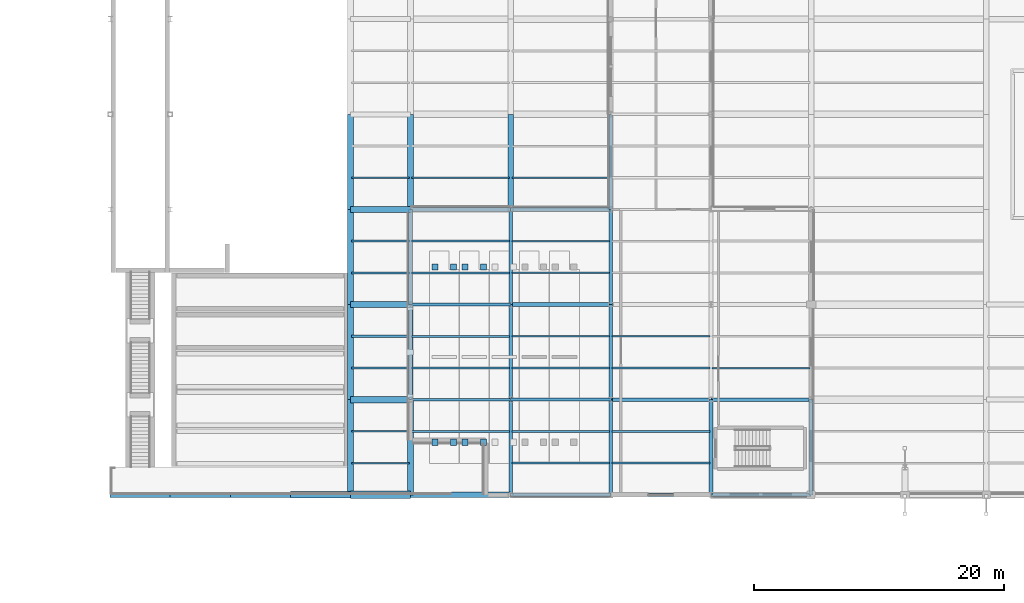
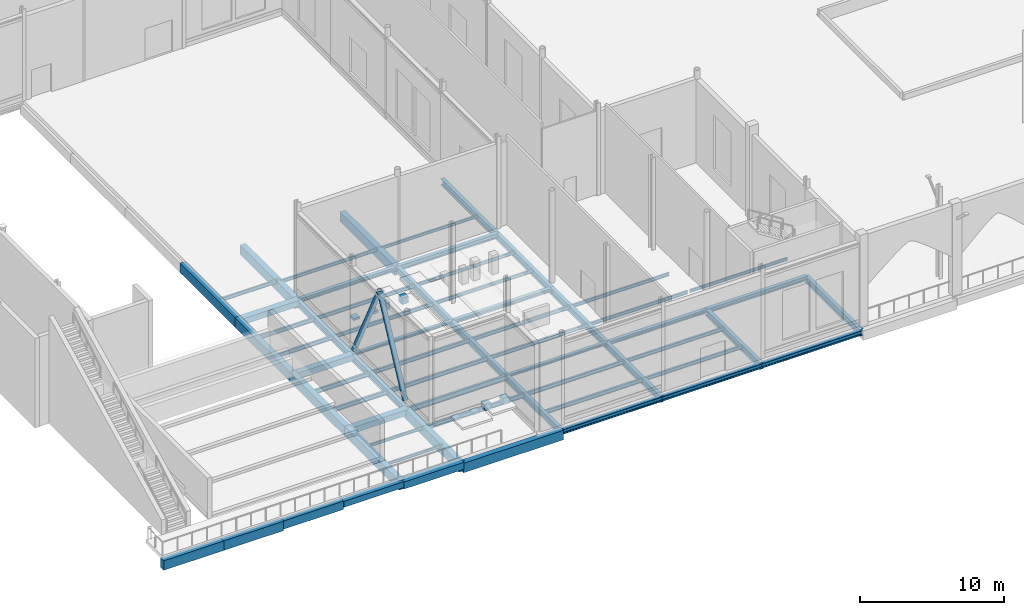
# One storey, part 27 of 176: 63 beams, 8 columns, 2 members.
"""IFC4 building model written with IfcOpenShell, lengths in metres."""

from ifc_helpers import new_model, si_unit, direction, frame, origin, origin_2d, place, context, subcontext, project, spatial, rectangle, hollow_circle, i_section, extrude, material, material_profile, profile_set, type_object, element, save


model = new_model("IFC4")

# Units and contexts
model_context = context("Model", 3, precision=1e-05, world=origin(), true_north=direction((0.0, 1.0)))
body_context = subcontext(model_context, "Body", "Model", "MODEL_VIEW")
ifc_project = project(units=[si_unit("LENGTHUNIT", "METRE"), si_unit("AREAUNIT", "SQUARE_METRE"), si_unit("VOLUMEUNIT", "CUBIC_METRE"), si_unit("PLANEANGLEUNIT", "RADIAN"), si_unit("MASSUNIT", "GRAM", prefix="KILO")], contexts=[model_context])

# Site, building, storey
site_placement = place(None, origin())
site = spatial("IfcSite", under=ifc_project, at=site_placement, CompositionType="ELEMENT")
building_placement = place(site_placement, origin())
building = spatial("IfcBuilding", under=site, at=building_placement, Name="Vekula Escarpment Museum", CompositionType="ELEMENT")
storey_placement = place(building_placement, origin())
storey = spatial("IfcBuildingStorey", under=building, at=storey_placement, Name="L01", CompositionType="ELEMENT", Elevation=0.0)

# Columns
ifc_material_1 = material(Name="Concrete C35/45", Category="concrete")
ifc_material_profile_1 = material_profile(ifc_material_1, rectangle(XDim=0.5, YDim=0.5, at=origin_2d()), Name="RC 500x500")
ifc_profile_set_1 = profile_set([ifc_material_profile_1], Name="Concrete C35/45")
column_type = type_object("IfcColumnType", Name="COL-B1-RC500", PredefinedType="COLUMN", material=ifc_profile_set_1)
for number, where, z_axis, x_axis, name in (
    (1, (25.949951171875, 4.199951171875, 0.0), (0.0, 0.0, 1.0), (1.0, 0.0, 0.0), "Auditorium Deck Raker Pier 1-1"),
    (2, (27.429931640625, 4.199951171875, 0.0), (0.0, 0.0, 1.0), (1.0, 0.0, 0.0), "Auditorium Deck Raker Pier 1-2"),
    (3, (27.429931640625, 18.199951171875, 0.0), (0.0, 0.0, 1.0), (1.0, 0.0, 0.0), "Auditorium Deck Raker Pier 1-3"),
    (4, (25.949951171875, 18.199951171875, 0.0), (0.0, 0.0, 1.0), (1.0, 0.0, 0.0), "Auditorium Deck Raker Pier 1-4"),
):
    element("IfcColumn", number, at=place(storey_placement, frame(where, z_axis=z_axis, x_axis=x_axis)), inside=storey, type_object=column_type, Name=name, PredefinedType="COLUMN", context=body_context, shape_type="SweptSolid", body=[
        extrude(rectangle(XDim=0.5, YDim=0.5, at=origin_2d()), origin(), (0.0, 0.0, 1.0), 0.18994140625),
    ])
for number, where, z_axis, x_axis, name in (
    (5, (28.35009765625, 4.199951171875, 0.0), (0.0, 0.0, 1.0), (1.0, 0.0, 0.0), "Auditorium Deck Raker Pier 2-1"),
    (6, (29.830078125, 4.199951171875, 0.0), (0.0, 0.0, 1.0), (1.0, 0.0, 0.0), "Auditorium Deck Raker Pier 2-2"),
    (7, (29.830078125, 18.199951171875, 0.0), (0.0, 0.0, 1.0), (1.0, 0.0, 0.0), "Auditorium Deck Raker Pier 2-3"),
    (8, (28.35009765625, 18.199951171875, 0.0), (0.0, 0.0, 1.0), (1.0, 0.0, 0.0), "Auditorium Deck Raker Pier 2-4"),
):
    element("IfcColumn", number, at=place(storey_placement, frame(where, z_axis=z_axis, x_axis=x_axis)), inside=storey, type_object=column_type, Name=name, PredefinedType="COLUMN", context=body_context, shape_type="SweptSolid", body=[
        extrude(rectangle(XDim=0.5, YDim=0.5, at=origin_2d()), origin(), (0.0, 0.0, 1.0), 0.550048828125),
    ])

# Beams
ifc_material_2 = material(Name="Steel S355", Category="steel")
ifc_material_profile_2 = material_profile(ifc_material_2, i_section(OverallWidth=0.300048828125, OverallDepth=0.300048828125, WebThickness=0.010986328125, FlangeThickness=0.01904296875, FilletRadius=0.027099609375, at=origin_2d()), Name="HEB 300")
ifc_profile_set_2 = profile_set([ifc_material_profile_2], Name="Steel S355")
beam_type_1 = type_object("IfcBeamType", Name="BM-GIRD-HEB300", PredefinedType="BEAM", material=ifc_profile_set_2)
for number, where, z_axis, x_axis, name in (
    (9, (40.0, 7.60009765625, -0.60009765625), (1.0, 0.0, 0.0), (0.0, 1.0, 0.0), "Beam X L01 0033"),
    (10, (32.0, 15.199951171875, -0.60009765625), (1.0, 0.0, 0.0), (0.0, 1.0, 0.0), "Beam X L01 0051"),
):
    element("IfcBeam", number, at=place(storey_placement, frame(where, z_axis=z_axis, x_axis=x_axis)), inside=storey, type_object=beam_type_1, Name=name, PredefinedType="BEAM", context=body_context, shape_type="SweptSolid", body=[
        extrude(i_section(OverallWidth=0.300048828125, OverallDepth=0.300048828125, WebThickness=0.010986328125, FlangeThickness=0.01904296875, FilletRadius=0.027099609375, at=origin_2d()), origin(), (0.0, 0.0, 1.0), 8.0),
    ])
ifc_material_3 = material(Name="Steel S355", Category="steel")
ifc_material_profile_3 = material_profile(ifc_material_3, i_section(OverallWidth=0.300048828125, OverallDepth=0.320068359375, WebThickness=0.011474609375, FlangeThickness=0.0205078125, FilletRadius=0.027099609375, at=origin_2d()), Name="HEB 320")
ifc_profile_set_3 = profile_set([ifc_material_profile_3], Name="Steel S355")
beam_type_2 = type_object("IfcBeamType", Name="BM-GIRD-HEB320", PredefinedType="BEAM", material=ifc_profile_set_3)
beam_1_placement = place(storey_placement, frame((24.0, 22.800048828125, -0.610107421875), z_axis=(1.0, 0.0, 0.0), x_axis=(0.0, 1.0, 0.0)))
element("IfcBeam", 11, at=beam_1_placement, inside=storey, type_object=beam_type_2, Name="Beam X L01 0069", PredefinedType="BEAM", context=body_context, shape_type="SweptSolid", body=[
    extrude(i_section(OverallWidth=0.300048828125, OverallDepth=0.320068359375, WebThickness=0.011474609375, FlangeThickness=0.0205078125, FilletRadius=0.027099609375, at=origin_2d()), origin(), (0.0, 0.0, 1.0), 8.0),
])
ifc_material_4 = material(Name="Steel S355", Category="steel")
ifc_material_profile_4 = material_profile(ifc_material_4, i_section(OverallWidth=0.300048828125, OverallDepth=0.360107421875, WebThickness=0.012451171875, FlangeThickness=0.0224609375, FilletRadius=0.027099609375, at=origin_2d()), Name="HEB 360")
ifc_profile_set_4 = profile_set([ifc_material_profile_4], Name="Steel S355")
beam_type_3 = type_object("IfcBeamType", Name="BM-GIRD-HEB360", PredefinedType="BEAM", material=ifc_profile_set_4)
beam_2_placement = place(storey_placement, frame((48.0, 7.60009765625, -0.6298828125), z_axis=(1.0, 0.0, 0.0), x_axis=(0.0, 1.0, 0.0)))
element("IfcBeam", 12, at=beam_2_placement, inside=storey, type_object=beam_type_3, Name="Beam X L01 0034", PredefinedType="BEAM", context=body_context, shape_type="SweptSolid", body=[
    extrude(i_section(OverallWidth=0.300048828125, OverallDepth=0.360107421875, WebThickness=0.012451171875, FlangeThickness=0.0224609375, FilletRadius=0.027099609375, at=origin_2d()), origin(), (0.0, 0.0, 1.0), 8.0),
])
ifc_material_5 = material(Name="Steel S355", Category="steel")
ifc_material_profile_5 = material_profile(ifc_material_5, i_section(OverallWidth=0.300048828125, OverallDepth=0.39990234375, WebThickness=0.013427734375, FlangeThickness=0.02392578125, FilletRadius=0.027099609375, at=origin_2d()), Name="HEB 400")
ifc_profile_set_5 = profile_set([ifc_material_profile_5], Name="Steel S355")
beam_type_4 = type_object("IfcBeamType", Name="BM-GIRD-HEB400", PredefinedType="BEAM", material=ifc_profile_set_5)
beam_3_placement = place(storey_placement, frame((32.0, 22.800048828125, -0.64990234375), z_axis=(1.0, 0.0, 0.0), x_axis=(0.0, 1.0, 0.0)))
element("IfcBeam", 13, at=beam_3_placement, inside=storey, type_object=beam_type_4, Name="Beam X L01 0070", PredefinedType="BEAM", context=body_context, shape_type="SweptSolid", body=[
    extrude(i_section(OverallWidth=0.300048828125, OverallDepth=0.39990234375, WebThickness=0.013427734375, FlangeThickness=0.02392578125, FilletRadius=0.027099609375, at=origin_2d()), origin(), (0.0, 0.0, 1.0), 8.0),
])
ifc_material_6 = material(Name="Steel S355", Category="steel")
ifc_material_profile_6 = material_profile(ifc_material_6, i_section(OverallWidth=0.300048828125, OverallDepth=0.550048828125, WebThickness=0.014892578125, FlangeThickness=0.029052734375, FilletRadius=0.027099609375, at=origin_2d()), Name="HEB 550")
ifc_profile_set_6 = profile_set([ifc_material_profile_6], Name="Steel S355")
beam_type_5 = type_object("IfcBeamType", Name="BM-GIRD-HEB550", PredefinedType="BEAM", material=ifc_profile_set_6)
beam_4_placement = place(storey_placement, frame((24.0, 7.60009765625, -0.72509765625), z_axis=(0.0, 1.0, 0.0), x_axis=(-1.0, 0.0, 0.0)))
element("IfcBeam", 14, at=beam_4_placement, inside=storey, type_object=beam_type_5, Name="Beam Y L01 0444", PredefinedType="BEAM", context=body_context, shape_type="SweptSolid", body=[
    extrude(i_section(OverallWidth=0.300048828125, OverallDepth=0.550048828125, WebThickness=0.014892578125, FlangeThickness=0.029052734375, FilletRadius=0.027099609375, at=origin_2d()), origin(), (0.0, 0.0, 1.0), 7.599853515625),
])
for number, where, z_axis, x_axis, name in (
    (15, (24.0, 15.199951171875, -0.72509765625), (0.0, 1.0, 0.0), (-1.0, 0.0, 0.0), "Beam Y L01 0445"),
    (16, (32.0, 0.0, -0.72509765625), (0.0, 1.0, 0.0), (-1.0, 0.0, 0.0), "Beam Y L01 0461"),
):
    element("IfcBeam", number, at=place(storey_placement, frame(where, z_axis=z_axis, x_axis=x_axis)), inside=storey, type_object=beam_type_5, Name=name, PredefinedType="BEAM", context=body_context, shape_type="SweptSolid", body=[
        extrude(i_section(OverallWidth=0.300048828125, OverallDepth=0.550048828125, WebThickness=0.014892578125, FlangeThickness=0.029052734375, FilletRadius=0.027099609375, at=origin_2d()), origin(), (0.0, 0.0, 1.0), 7.60009765625),
    ])
beam_5_placement = place(storey_placement, frame((32.0, 7.60009765625, -0.72509765625), z_axis=(0.0, 1.0, 0.0), x_axis=(-1.0, 0.0, 0.0)))
element("IfcBeam", 17, at=beam_5_placement, inside=storey, type_object=beam_type_5, Name="Beam Y L01 0462", PredefinedType="BEAM", context=body_context, shape_type="SweptSolid", body=[
    extrude(i_section(OverallWidth=0.300048828125, OverallDepth=0.550048828125, WebThickness=0.014892578125, FlangeThickness=0.029052734375, FilletRadius=0.027099609375, at=origin_2d()), origin(), (0.0, 0.0, 1.0), 7.599853515625),
])
for number, where, z_axis, x_axis, name in (
    (18, (32.0, 15.199951171875, -0.72509765625), (0.0, 1.0, 0.0), (-1.0, 0.0, 0.0), "Beam Y L01 0463"),
    (19, (40.0, 0.0, -0.72509765625), (0.0, 1.0, 0.0), (-1.0, 0.0, 0.0), "Beam Y L01 0479"),
):
    element("IfcBeam", number, at=place(storey_placement, frame(where, z_axis=z_axis, x_axis=x_axis)), inside=storey, type_object=beam_type_5, Name=name, PredefinedType="BEAM", context=body_context, shape_type="SweptSolid", body=[
        extrude(i_section(OverallWidth=0.300048828125, OverallDepth=0.550048828125, WebThickness=0.014892578125, FlangeThickness=0.029052734375, FilletRadius=0.027099609375, at=origin_2d()), origin(), (0.0, 0.0, 1.0), 7.60009765625),
    ])
beam_6_placement = place(storey_placement, frame((40.0, 7.60009765625, -0.72509765625), z_axis=(0.0, 1.0, 0.0), x_axis=(-1.0, 0.0, 0.0)))
element("IfcBeam", 20, at=beam_6_placement, inside=storey, type_object=beam_type_5, Name="Beam Y L01 0480", PredefinedType="BEAM", context=body_context, shape_type="SweptSolid", body=[
    extrude(i_section(OverallWidth=0.300048828125, OverallDepth=0.550048828125, WebThickness=0.014892578125, FlangeThickness=0.029052734375, FilletRadius=0.027099609375, at=origin_2d()), origin(), (0.0, 0.0, 1.0), 7.599853515625),
])
beam_7_placement = place(storey_placement, frame((40.0, 15.199951171875, -0.72509765625), z_axis=(0.0, 1.0, 0.0), x_axis=(-1.0, 0.0, 0.0)))
element("IfcBeam", 21, at=beam_7_placement, inside=storey, type_object=beam_type_5, Name="Beam Y L01 0481", PredefinedType="BEAM", context=body_context, shape_type="SweptSolid", body=[
    extrude(i_section(OverallWidth=0.300048828125, OverallDepth=0.550048828125, WebThickness=0.014892578125, FlangeThickness=0.029052734375, FilletRadius=0.027099609375, at=origin_2d()), origin(), (0.0, 0.0, 1.0), 7.60009765625),
])
beam_8_placement = place(storey_placement, frame((40.0, 22.800048828125, -0.72509765625), z_axis=(0.0, 1.0, 0.0), x_axis=(-1.0, 0.0, 0.0)))
element("IfcBeam", 22, at=beam_8_placement, inside=storey, type_object=beam_type_5, Name="Beam Y L01 0482", PredefinedType="BEAM", context=body_context, shape_type="SweptSolid", body=[
    extrude(i_section(OverallWidth=0.300048828125, OverallDepth=0.550048828125, WebThickness=0.014892578125, FlangeThickness=0.029052734375, FilletRadius=0.027099609375, at=origin_2d()), origin(), (0.0, 0.0, 1.0), 7.599853515625),
])
for number, where, z_axis, x_axis, name in (
    (23, (48.0, 0.0, -0.72509765625), (0.0, 1.0, 0.0), (-1.0, 0.0, 0.0), "Beam Y L01 0497"),
    (24, (56.0, 0.0, -0.72509765625), (0.0, 1.0, 0.0), (-1.0, 0.0, 0.0), "Beam Y L01 0515"),
):
    element("IfcBeam", number, at=place(storey_placement, frame(where, z_axis=z_axis, x_axis=x_axis)), inside=storey, type_object=beam_type_5, Name=name, PredefinedType="BEAM", context=body_context, shape_type="SweptSolid", body=[
        extrude(i_section(OverallWidth=0.300048828125, OverallDepth=0.550048828125, WebThickness=0.014892578125, FlangeThickness=0.029052734375, FilletRadius=0.027099609375, at=origin_2d()), origin(), (0.0, 0.0, 1.0), 7.60009765625),
    ])
ifc_material_7 = material(Name="Steel S355", Category="steel")
ifc_material_profile_7 = material_profile(ifc_material_7, i_section(OverallWidth=0.18994140625, OverallDepth=0.449951171875, WebThickness=0.009521484375, FlangeThickness=0.0146484375, FilletRadius=0.02099609375, at=origin_2d()), Name="IPE 450")
ifc_profile_set_7 = profile_set([ifc_material_profile_7], Name="Steel S355")
beam_type_6 = type_object("IfcBeamType", Name="BM-GIRD-IPE450", PredefinedType="BEAM", material=ifc_profile_set_7)
beam_9_placement = place(storey_placement, frame((24.0, 7.60009765625, -0.675048828125), z_axis=(1.0, 0.0, 0.0), x_axis=(0.0, 1.0, 0.0)))
element("IfcBeam", 25, at=beam_9_placement, inside=storey, type_object=beam_type_6, Name="Beam X L01 0031", PredefinedType="BEAM", context=body_context, shape_type="SweptSolid", body=[
    extrude(i_section(OverallWidth=0.18994140625, OverallDepth=0.449951171875, WebThickness=0.009521484375, FlangeThickness=0.0146484375, FilletRadius=0.02099609375, at=origin_2d()), origin(), (0.0, 0.0, 1.0), 8.0),
])
ifc_material_8 = material(Name="Steel S355", Category="steel")
ifc_material_profile_8 = material_profile(ifc_material_8, i_section(OverallWidth=0.1201171875, OverallDepth=0.239990234375, WebThickness=0.006103515625, FlangeThickness=0.009765625, FilletRadius=0.014892578125, at=origin_2d()), Name="IPE 240")
ifc_profile_set_8 = profile_set([ifc_material_profile_8], Name="Steel S355")
beam_type_7 = type_object("IfcBeamType", Name="BM-JST-IPE240", PredefinedType="JOIST", material=ifc_profile_set_8)
for number, where, z_axis, x_axis, name in (
    (26, (19.2900390625, 2.533203125, -0.570068359375), (1.0, 0.0, 0.0), (0.0, 1.0, 0.0), "Secondary Joist L01 0051"),
    (27, (19.2900390625, 5.066650390625, -0.570068359375), (1.0, 0.0, 0.0), (0.0, 1.0, 0.0), "Secondary Joist L01 0052"),
):
    element("IfcBeam", number, at=place(storey_placement, frame(where, z_axis=z_axis, x_axis=x_axis)), inside=storey, type_object=beam_type_7, Name=name, PredefinedType="JOIST", context=body_context, shape_type="SweptSolid", body=[
        extrude(i_section(OverallWidth=0.1201171875, OverallDepth=0.239990234375, WebThickness=0.006103515625, FlangeThickness=0.009765625, FilletRadius=0.014892578125, at=origin_2d()), origin(), (0.0, 0.0, 1.0), 4.619873046875),
    ])
for number, where, z_axis, x_axis, name in (
    (28, (32.090087890625, 25.333251953125, -0.570068359375), (1.0, 0.0, 0.0), (0.0, 1.0, 0.0), "Secondary Joist L01 0120"),
    (29, (48.090087890625, 10.13330078125, -0.570068359375), (1.0, 0.0, 0.0), (0.0, 1.0, 0.0), "Secondary Joist L01 0175"),
):
    element("IfcBeam", number, at=place(storey_placement, frame(where, z_axis=z_axis, x_axis=x_axis)), inside=storey, type_object=beam_type_7, Name=name, PredefinedType="JOIST", context=body_context, shape_type="SweptSolid", body=[
        extrude(i_section(OverallWidth=0.1201171875, OverallDepth=0.239990234375, WebThickness=0.006103515625, FlangeThickness=0.009765625, FilletRadius=0.014892578125, at=origin_2d()), origin(), (0.0, 0.0, 1.0), 7.81982421875),
    ])
ifc_material_9 = material(Name="Steel S355", Category="steel")
ifc_material_profile_9 = material_profile(ifc_material_9, i_section(OverallWidth=0.135009765625, OverallDepth=0.27001953125, WebThickness=0.006591796875, FlangeThickness=0.01025390625, FilletRadius=0.014892578125, at=origin_2d()), Name="IPE 270")
ifc_profile_set_9 = profile_set([ifc_material_profile_9], Name="Steel S355")
beam_type_8 = type_object("IfcBeamType", Name="BM-JST-IPE270", PredefinedType="JOIST", material=ifc_profile_set_9)
for number, where, z_axis, x_axis, name in (
    (30, (24.090087890625, 25.333251953125, -0.5849609375), (1.0, 0.0, 0.0), (0.0, 1.0, 0.0), "Secondary Joist L01 0088"),
    (31, (32.090087890625, 17.7333984375, -0.5849609375), (1.0, 0.0, 0.0), (0.0, 1.0, 0.0), "Secondary Joist L01 0118"),
    (32, (32.090087890625, 20.2666015625, -0.5849609375), (1.0, 0.0, 0.0), (0.0, 1.0, 0.0), "Secondary Joist L01 0119"),
    (33, (40.090087890625, 10.13330078125, -0.5849609375), (1.0, 0.0, 0.0), (0.0, 1.0, 0.0), "Secondary Joist L01 0145"),
    (34, (40.090087890625, 12.666748046875, -0.5849609375), (1.0, 0.0, 0.0), (0.0, 1.0, 0.0), "Secondary Joist L01 0146"),
):
    element("IfcBeam", number, at=place(storey_placement, frame(where, z_axis=z_axis, x_axis=x_axis)), inside=storey, type_object=beam_type_8, Name=name, PredefinedType="JOIST", context=body_context, shape_type="SweptSolid", body=[
        extrude(i_section(OverallWidth=0.135009765625, OverallDepth=0.27001953125, WebThickness=0.006591796875, FlangeThickness=0.01025390625, FilletRadius=0.014892578125, at=origin_2d()), origin(), (0.0, 0.0, 1.0), 7.81982421875),
    ])
ifc_material_10 = material(Name="Steel S355", Category="steel")
ifc_material_profile_10 = material_profile(ifc_material_10, i_section(OverallWidth=0.14990234375, OverallDepth=0.300048828125, WebThickness=0.007080078125, FlangeThickness=0.0107421875, FilletRadius=0.014892578125, at=origin_2d()), Name="IPE 300")
ifc_profile_set_10 = profile_set([ifc_material_profile_10], Name="Steel S355")
beam_type_9 = type_object("IfcBeamType", Name="BM-JST-IPE300", PredefinedType="JOIST", material=ifc_profile_set_10)
beam_10_placement = place(storey_placement, frame((19.2900390625, 25.333251953125, -0.449951171875), z_axis=(1.0, 0.0, 0.0), x_axis=(0.0, 1.0, 0.0)))
element("IfcBeam", 35, at=beam_10_placement, inside=storey, type_object=beam_type_9, Name="Secondary Joist L01 0057", PredefinedType="JOIST", context=body_context, shape_type="SweptSolid", body=[
    extrude(i_section(OverallWidth=0.14990234375, OverallDepth=0.300048828125, WebThickness=0.007080078125, FlangeThickness=0.0107421875, FilletRadius=0.014892578125, at=origin_2d()), origin(), (0.0, 0.0, 1.0), 4.619873046875),
])
for number, where, z_axis, x_axis, name in (
    (36, (24.090087890625, 17.7333984375, -0.60009765625), (1.0, 0.0, 0.0), (0.0, 1.0, 0.0), "Secondary Joist L01 0086"),
    (37, (24.090087890625, 20.2666015625, -0.60009765625), (1.0, 0.0, 0.0), (0.0, 1.0, 0.0), "Secondary Joist L01 0087"),
    (38, (32.090087890625, 10.13330078125, -0.60009765625), (1.0, 0.0, 0.0), (0.0, 1.0, 0.0), "Secondary Joist L01 0116"),
    (39, (32.090087890625, 12.666748046875, -0.60009765625), (1.0, 0.0, 0.0), (0.0, 1.0, 0.0), "Secondary Joist L01 0117"),
    (40, (40.090087890625, 2.533203125, -0.60009765625), (1.0, 0.0, 0.0), (0.0, 1.0, 0.0), "Secondary Joist L01 0143"),
    (41, (40.090087890625, 5.066650390625, -0.60009765625), (1.0, 0.0, 0.0), (0.0, 1.0, 0.0), "Secondary Joist L01 0144"),
):
    element("IfcBeam", number, at=place(storey_placement, frame(where, z_axis=z_axis, x_axis=x_axis)), inside=storey, type_object=beam_type_9, Name=name, PredefinedType="JOIST", context=body_context, shape_type="SweptSolid", body=[
        extrude(i_section(OverallWidth=0.14990234375, OverallDepth=0.300048828125, WebThickness=0.007080078125, FlangeThickness=0.0107421875, FilletRadius=0.014892578125, at=origin_2d()), origin(), (0.0, 0.0, 1.0), 7.81982421875),
    ])
ifc_material_11 = material(Name="Steel S355", Category="steel")
ifc_material_profile_11 = material_profile(ifc_material_11, i_section(OverallWidth=0.159912109375, OverallDepth=0.330078125, WebThickness=0.007568359375, FlangeThickness=0.011474609375, FilletRadius=0.01806640625, at=origin_2d()), Name="IPE 330")
ifc_profile_set_11 = profile_set([ifc_material_profile_11], Name="Steel S355")
beam_type_10 = type_object("IfcBeamType", Name="BM-JST-IPE330", PredefinedType="JOIST", material=ifc_profile_set_11)
for number, where, z_axis, x_axis, name in (
    (42, (19.2900390625, 17.7333984375, -0.614990234375), (1.0, 0.0, 0.0), (0.0, 1.0, 0.0), "Secondary Joist L01 0055"),
    (43, (19.2900390625, 20.2666015625, -0.614990234375), (1.0, 0.0, 0.0), (0.0, 1.0, 0.0), "Secondary Joist L01 0056"),
):
    element("IfcBeam", number, at=place(storey_placement, frame(where, z_axis=z_axis, x_axis=x_axis)), inside=storey, type_object=beam_type_10, Name=name, PredefinedType="JOIST", context=body_context, shape_type="SweptSolid", body=[
        extrude(i_section(OverallWidth=0.159912109375, OverallDepth=0.330078125, WebThickness=0.007568359375, FlangeThickness=0.011474609375, FilletRadius=0.01806640625, at=origin_2d()), origin(), (0.0, 0.0, 1.0), 4.619873046875),
    ])
for number, where, z_axis, x_axis, name in (
    (44, (24.090087890625, 10.13330078125, -0.614990234375), (1.0, 0.0, 0.0), (0.0, 1.0, 0.0), "Secondary Joist L01 0084"),
    (45, (24.090087890625, 12.666748046875, -0.614990234375), (1.0, 0.0, 0.0), (0.0, 1.0, 0.0), "Secondary Joist L01 0085"),
    (46, (32.090087890625, 2.533203125, -0.614990234375), (1.0, 0.0, 0.0), (0.0, 1.0, 0.0), "Secondary Joist L01 0114"),
    (47, (32.090087890625, 5.066650390625, -0.614990234375), (1.0, 0.0, 0.0), (0.0, 1.0, 0.0), "Secondary Joist L01 0115"),
):
    element("IfcBeam", number, at=place(storey_placement, frame(where, z_axis=z_axis, x_axis=x_axis)), inside=storey, type_object=beam_type_10, Name=name, PredefinedType="JOIST", context=body_context, shape_type="SweptSolid", body=[
        extrude(i_section(OverallWidth=0.159912109375, OverallDepth=0.330078125, WebThickness=0.007568359375, FlangeThickness=0.011474609375, FilletRadius=0.01806640625, at=origin_2d()), origin(), (0.0, 0.0, 1.0), 7.81982421875),
    ])
ifc_material_12 = material(Name="Steel S355", Category="steel")
ifc_material_profile_12 = material_profile(ifc_material_12, i_section(OverallWidth=0.169921875, OverallDepth=0.360107421875, WebThickness=0.008056640625, FlangeThickness=0.0126953125, FilletRadius=0.01806640625, at=origin_2d()), Name="IPE 360")
ifc_profile_set_12 = profile_set([ifc_material_profile_12], Name="Steel S355")
beam_type_11 = type_object("IfcBeamType", Name="BM-JST-IPE360", PredefinedType="JOIST", material=ifc_profile_set_12)
for number, where, z_axis, x_axis, name in (
    (48, (19.2900390625, 10.13330078125, -0.6298828125), (1.0, 0.0, 0.0), (0.0, 1.0, 0.0), "Secondary Joist L01 0053"),
    (49, (19.2900390625, 12.666748046875, -0.6298828125), (1.0, 0.0, 0.0), (0.0, 1.0, 0.0), "Secondary Joist L01 0054"),
):
    element("IfcBeam", number, at=place(storey_placement, frame(where, z_axis=z_axis, x_axis=x_axis)), inside=storey, type_object=beam_type_11, Name=name, PredefinedType="JOIST", context=body_context, shape_type="SweptSolid", body=[
        extrude(i_section(OverallWidth=0.169921875, OverallDepth=0.360107421875, WebThickness=0.008056640625, FlangeThickness=0.0126953125, FilletRadius=0.01806640625, at=origin_2d()), origin(), (0.0, 0.0, 1.0), 4.619873046875),
    ])
beam_11_placement = place(storey_placement, frame((24.090087890625, 5.066650390625, -0.6298828125), z_axis=(1.0, 0.0, 0.0), x_axis=(0.0, 1.0, 0.0)))
element("IfcBeam", 50, at=beam_11_placement, inside=storey, type_object=beam_type_11, Name="Secondary Joist L01 0083", PredefinedType="JOIST", context=body_context, shape_type="SweptSolid", body=[
    extrude(i_section(OverallWidth=0.169921875, OverallDepth=0.360107421875, WebThickness=0.008056640625, FlangeThickness=0.0126953125, FilletRadius=0.01806640625, at=origin_2d()), origin(), (0.0, 0.0, 1.0), 7.81982421875),
])
ifc_material_13 = material(Name="Concrete C35/45", Category="concrete")
ifc_material_profile_13 = material_profile(ifc_material_13, rectangle(XDim=0.449951171875, YDim=0.800048828125, at=origin_2d()), Name="RC 450x800")
ifc_profile_set_13 = profile_set([ifc_material_profile_13], Name="Concrete C35/45")
beam_type_12 = type_object("IfcBeamType", Name="BM-PLINTH-RC", PredefinedType="BEAM", material=ifc_profile_set_13)
for number, where, z_axis, x_axis, name in (
    (51, (0.0, 0.0, -0.699951171875), (1.0, 0.0, 0.0), (0.0, 1.0, 0.0), "Beam X L01 0006"),
    (52, (4.800048828125, 0.0, -0.699951171875), (1.0, 0.0, 0.0), (0.0, 1.0, 0.0), "Beam X L01 0007"),
):
    element("IfcBeam", number, at=place(storey_placement, frame(where, z_axis=z_axis, x_axis=x_axis)), inside=storey, type_object=beam_type_12, Name=name, PredefinedType="BEAM", context=body_context, shape_type="SweptSolid", body=[
        extrude(rectangle(XDim=0.449951171875, YDim=0.800048828125, at=origin_2d()), origin(), (0.0, 0.0, 1.0), 4.800048828125),
    ])
beam_12_placement = place(storey_placement, frame((24.0, 0.0, -0.85009765625), z_axis=(1.0, 0.0, 0.0), x_axis=(0.0, 1.0, 0.0)))
element("IfcBeam", 53, at=beam_12_placement, inside=storey, type_object=beam_type_12, Name="Beam X L01 0011", PredefinedType="BEAM", context=body_context, shape_type="SweptSolid", body=[
    extrude(rectangle(XDim=0.449951171875, YDim=0.800048828125, at=origin_2d()), origin(), (0.0, 0.0, 1.0), 8.0),
])
beam_13_placement = place(storey_placement, frame((19.199951171875, 0.0, -0.699951171875), z_axis=(0.0, 1.0, 0.0), x_axis=(-1.0, 0.0, 0.0)))
element("IfcBeam", 54, at=beam_13_placement, inside=storey, type_object=beam_type_12, Name="Beam Y L01 0425", PredefinedType="BEAM", context=body_context, shape_type="SweptSolid", body=[
    extrude(rectangle(XDim=0.449951171875, YDim=0.800048828125, at=origin_2d()), origin(), (0.0, 0.0, 1.0), 7.60009765625),
])
beam_14_placement = place(storey_placement, frame((19.199951171875, 7.60009765625, -0.699951171875), z_axis=(0.0, 1.0, 0.0), x_axis=(-1.0, 0.0, 0.0)))
element("IfcBeam", 55, at=beam_14_placement, inside=storey, type_object=beam_type_12, Name="Beam Y L01 0426", PredefinedType="BEAM", context=body_context, shape_type="SweptSolid", body=[
    extrude(rectangle(XDim=0.449951171875, YDim=0.800048828125, at=origin_2d()), origin(), (0.0, 0.0, 1.0), 7.599853515625),
])
beam_15_placement = place(storey_placement, frame((19.199951171875, 15.199951171875, -0.699951171875), z_axis=(0.0, 1.0, 0.0), x_axis=(-1.0, 0.0, 0.0)))
element("IfcBeam", 56, at=beam_15_placement, inside=storey, type_object=beam_type_12, Name="Beam Y L01 0427", PredefinedType="BEAM", context=body_context, shape_type="SweptSolid", body=[
    extrude(rectangle(XDim=0.449951171875, YDim=0.800048828125, at=origin_2d()), origin(), (0.0, 0.0, 1.0), 7.60009765625),
])
beam_16_placement = place(storey_placement, frame((19.199951171875, 22.800048828125, -0.699951171875), z_axis=(0.0, 1.0, 0.0), x_axis=(-1.0, 0.0, 0.0)))
element("IfcBeam", 57, at=beam_16_placement, inside=storey, type_object=beam_type_12, Name="Beam Y L01 0428", PredefinedType="BEAM", context=body_context, shape_type="SweptSolid", body=[
    extrude(rectangle(XDim=0.449951171875, YDim=0.800048828125, at=origin_2d()), origin(), (0.0, 0.0, 1.0), 7.599853515625),
])
beam_17_placement = place(storey_placement, frame((24.0, 0.0, -0.85009765625), z_axis=(0.0, 1.0, 0.0), x_axis=(-1.0, 0.0, 0.0)))
element("IfcBeam", 58, at=beam_17_placement, inside=storey, type_object=beam_type_12, Name="Beam Y L01 0443", PredefinedType="BEAM", context=body_context, shape_type="SweptSolid", body=[
    extrude(rectangle(XDim=0.449951171875, YDim=0.800048828125, at=origin_2d()), origin(), (0.0, 0.0, 1.0), 7.60009765625),
])
for number, where, z_axis, x_axis, name in (
    (59, (24.0, 22.800048828125, -0.85009765625), (0.0, 1.0, 0.0), (-1.0, 0.0, 0.0), "Beam Y L01 0446"),
    (60, (32.0, 22.800048828125, -0.85009765625), (0.0, 1.0, 0.0), (-1.0, 0.0, 0.0), "Beam Y L01 0464"),
):
    element("IfcBeam", number, at=place(storey_placement, frame(where, z_axis=z_axis, x_axis=x_axis)), inside=storey, type_object=beam_type_12, Name=name, PredefinedType="BEAM", context=body_context, shape_type="SweptSolid", body=[
        extrude(rectangle(XDim=0.449951171875, YDim=0.800048828125, at=origin_2d()), origin(), (0.0, 0.0, 1.0), 7.599853515625),
    ])
ifc_material_14 = material(Name="Concrete C35/45", Category="concrete")
ifc_material_profile_14 = material_profile(ifc_material_14, rectangle(XDim=0.39990234375, YDim=0.699951171875, at=origin_2d()), Name="RC 400x700")
ifc_profile_set_14 = profile_set([ifc_material_profile_14], Name="Concrete C35/45")
beam_type_13 = type_object("IfcBeamType", Name="BM-PLINTH-RC2", PredefinedType="BEAM", material=ifc_profile_set_14)
beam_18_placement = place(storey_placement, frame((9.60009765625, 0.0, -0.64990234375), z_axis=(1.0, 0.0, 0.0), x_axis=(0.0, 1.0, 0.0)))
element("IfcBeam", 61, at=beam_18_placement, inside=storey, type_object=beam_type_13, Name="Beam X L01 0008", PredefinedType="BEAM", context=body_context, shape_type="SweptSolid", body=[
    extrude(rectangle(XDim=0.39990234375, YDim=0.699951171875, at=origin_2d()), origin(), (0.0, 0.0, 1.0), 4.7998046875),
])
ifc_material_15 = material(Name="Concrete C35/45", Category="concrete")
ifc_material_profile_15 = material_profile(ifc_material_15, rectangle(XDim=0.5, YDim=0.5, at=origin_2d()), Name="RC 500x500")
ifc_profile_set_15 = profile_set([ifc_material_profile_15], Name="Concrete C35/45")
beam_type_14 = type_object("IfcBeamType", Name="BM-PLINTH-RC3", PredefinedType="BEAM", material=ifc_profile_set_15)
for number, where, z_axis, x_axis, name in (
    (62, (14.39990234375, 0.0, -0.550048828125), (1.0, 0.0, 0.0), (0.0, 1.0, 0.0), "Beam X L01 0009"),
    (63, (19.199951171875, 7.60009765625, -0.699951171875), (1.0, 0.0, 0.0), (0.0, 1.0, 0.0), "Beam X L01 0030"),
    (64, (19.199951171875, 15.199951171875, -0.699951171875), (1.0, 0.0, 0.0), (0.0, 1.0, 0.0), "Beam X L01 0049"),
    (65, (19.199951171875, 22.800048828125, -0.699951171875), (1.0, 0.0, 0.0), (0.0, 1.0, 0.0), "Beam X L01 0068"),
):
    element("IfcBeam", number, at=place(storey_placement, frame(where, z_axis=z_axis, x_axis=x_axis)), inside=storey, type_object=beam_type_14, Name=name, PredefinedType="BEAM", context=body_context, shape_type="SweptSolid", body=[
        extrude(rectangle(XDim=0.5, YDim=0.5, at=origin_2d()), origin(), (0.0, 0.0, 1.0), 4.800048828125),
    ])
ifc_material_16 = material(Name="Concrete C35/45", Category="concrete")
ifc_material_profile_16 = material_profile(ifc_material_16, rectangle(XDim=0.60009765625, YDim=0.60009765625, at=origin_2d()), Name="RC 600x600")
ifc_profile_set_16 = profile_set([ifc_material_profile_16], Name="Concrete C35/45")
beam_type_15 = type_object("IfcBeamType", Name="BM-PLINTH-RC4", PredefinedType="BEAM", material=ifc_profile_set_16)
beam_19_placement = place(storey_placement, frame((19.199951171875, 0.0, -0.60009765625), z_axis=(1.0, 0.0, 0.0), x_axis=(0.0, 1.0, 0.0)))
element("IfcBeam", 66, at=beam_19_placement, inside=storey, type_object=beam_type_15, Name="Beam X L01 0010", PredefinedType="BEAM", context=body_context, shape_type="SweptSolid", body=[
    extrude(rectangle(XDim=0.60009765625, YDim=0.60009765625, at=origin_2d()), origin(), (0.0, 0.0, 1.0), 4.800048828125),
])
ifc_material_17 = material(Name="Steel S355", Category="steel")
ifc_material_profile_17 = material_profile(ifc_material_17, i_section(OverallWidth=0.239990234375, OverallDepth=0.22998046875, WebThickness=0.007568359375, FlangeThickness=0.011962890625, FilletRadius=0.02099609375, at=origin_2d()), Name="HEA 240")
ifc_profile_set_17 = profile_set([ifc_material_profile_17], Name="Steel S355")
beam_type_16 = type_object("IfcBeamType", Name="BM-SPAN-HEA240", PredefinedType="SPANDREL", material=ifc_profile_set_17)
for number, where, z_axis, x_axis, name in (
    (67, (32.0, 7.60009765625, -0.56494140625), (1.0, 0.0, 0.0), (0.0, 1.0, 0.0), "Beam X L01 0032"),
    (68, (24.0, 15.199951171875, -0.56494140625), (1.0, 0.0, 0.0), (0.0, 1.0, 0.0), "Beam X L01 0050"),
):
    element("IfcBeam", number, at=place(storey_placement, frame(where, z_axis=z_axis, x_axis=x_axis)), inside=storey, type_object=beam_type_16, Name=name, PredefinedType="SPANDREL", context=body_context, shape_type="SweptSolid", body=[
        extrude(i_section(OverallWidth=0.239990234375, OverallDepth=0.22998046875, WebThickness=0.007568359375, FlangeThickness=0.011962890625, FilletRadius=0.02099609375, at=origin_2d()), origin(), (0.0, 0.0, 1.0), 8.0),
    ])
ifc_material_18 = material(Name="Steel S355", Category="steel")
ifc_material_profile_18 = material_profile(ifc_material_18, i_section(OverallWidth=0.300048828125, OverallDepth=0.389892578125, WebThickness=0.010986328125, FlangeThickness=0.01904296875, FilletRadius=0.027099609375, at=origin_2d()), Name="HEA 400")
ifc_profile_set_18 = profile_set([ifc_material_profile_18], Name="Steel S355")
beam_type_17 = type_object("IfcBeamType", Name="BM-SPAN-HEA400", PredefinedType="SPANDREL", material=ifc_profile_set_18)
for number, where, z_axis, x_axis, name in (
    (69, (32.0, 0.0, -0.64501953125), (1.0, 0.0, 0.0), (0.0, 1.0, 0.0), "Beam X L01 0012"),
    (70, (40.0, 0.0, -0.64501953125), (1.0, 0.0, 0.0), (0.0, 1.0, 0.0), "Beam X L01 0013"),
    (71, (48.0, 0.0, -0.64501953125), (1.0, 0.0, 0.0), (0.0, 1.0, 0.0), "Beam X L01 0014"),
):
    element("IfcBeam", number, at=place(storey_placement, frame(where, z_axis=z_axis, x_axis=x_axis)), inside=storey, type_object=beam_type_17, Name=name, PredefinedType="SPANDREL", context=body_context, shape_type="SweptSolid", body=[
        extrude(i_section(OverallWidth=0.300048828125, OverallDepth=0.389892578125, WebThickness=0.010986328125, FlangeThickness=0.01904296875, FilletRadius=0.027099609375, at=origin_2d()), origin(), (0.0, 0.0, 1.0), 8.0),
    ])

# Members
ifc_material_19 = material(Name="Steel S355", Category="steel")
ifc_material_profile_19 = material_profile(ifc_material_19, hollow_circle(Radius=0.203125, WallThickness=0.02001953125, at=origin_2d()), Name="CHS 406.4x20")
ifc_profile_set_19 = profile_set([ifc_material_profile_19], Name="Steel S355")
member_type = type_object("IfcMemberType", Name="MB-CBF-BRACE2", PredefinedType="BRACE", material=ifc_profile_set_19)
for number, where, z_axis, x_axis, name in (
    (72, (24.0, 7.85009765625, 0.02001953125), (0.0, 0.448199732853, 0.893933442416), (-1.0, 0.0, 0.0), "Lateral Braced Frame L01-02L"),
    (73, (24.0, 14.949951171875, 0.02001953125), (0.0, -0.448224365357, 0.893921091764), (1.0, 0.0, 0.0), "Lateral Braced Frame L01-02R"),
):
    element("IfcMember", number, at=place(storey_placement, frame(where, z_axis=z_axis, x_axis=x_axis)), inside=storey, type_object=member_type, Name=name, PredefinedType="BRACE", context=body_context, shape_type="SweptSolid", body=[
        extrude(hollow_circle(Radius=0.203125, WallThickness=0.02001953125, at=origin_2d()), origin(), (0.0, 0.0, 1.0), 7.920166015625),
    ])

save(model, "model.ifc")
